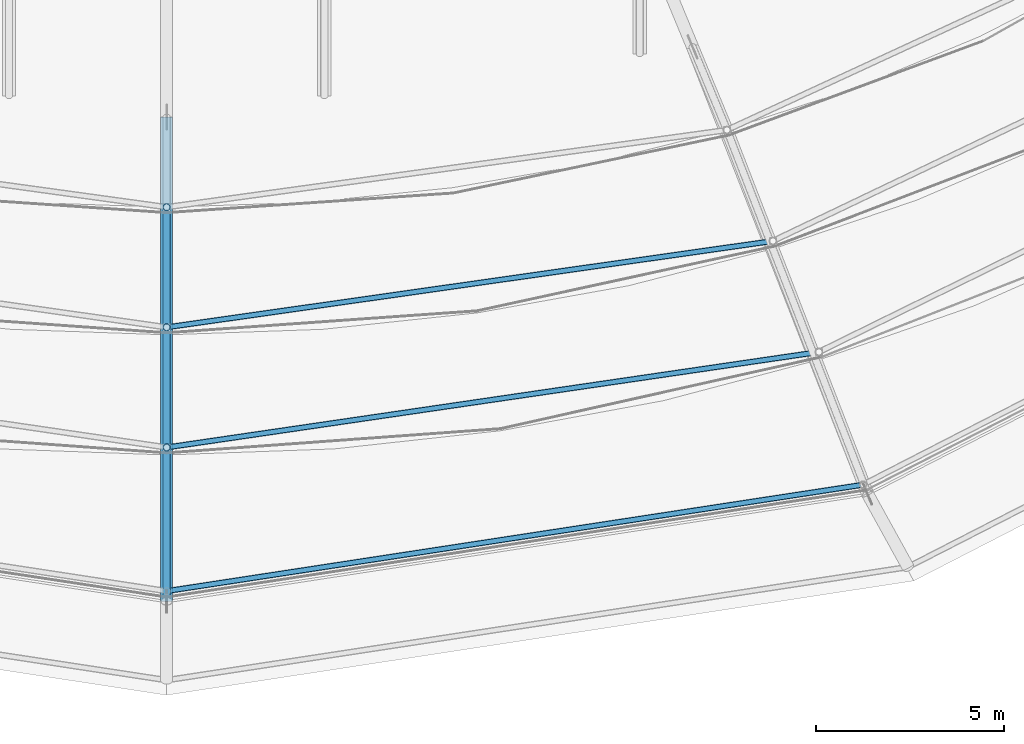
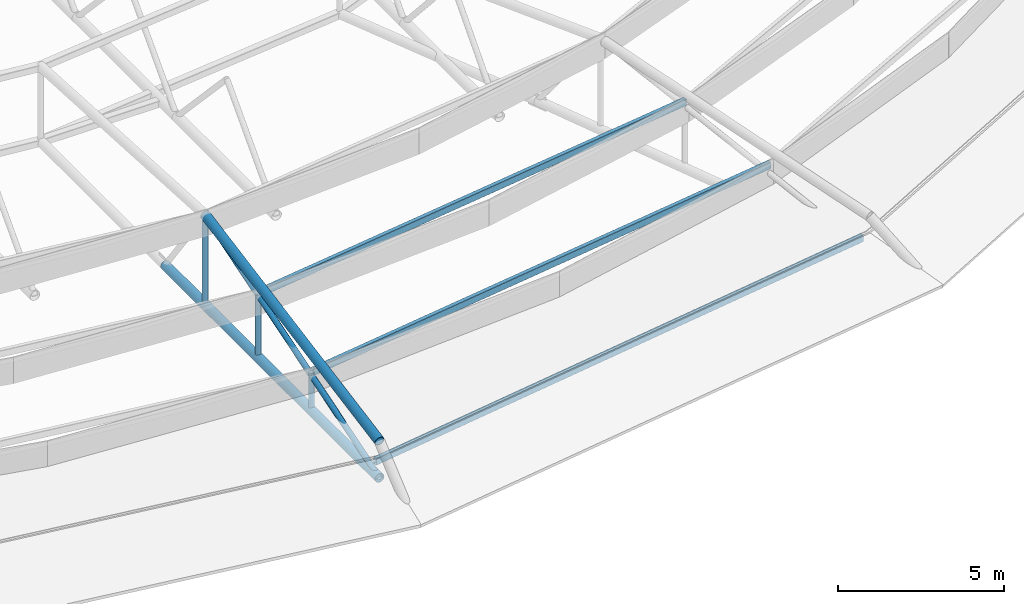
# One storey, part 11 of 134: 6 members, 3 beams.
"""IFC4 building model written with IfcOpenShell, lengths in metres."""

from ifc_helpers import new_model, si_unit, derived_unit, direction, frame, origin, origin_2d, place, context, subcontext, project, spatial, hollow_rectangle, hollow_circle, extrude, material, material_profile, profile_set, type_object, element, save


model = new_model("IFC4")

# Units and contexts
model_context = context("Model", 3, precision=1e-05, world=origin(), true_north=direction((0.0, 1.0)))
body_context = subcontext(model_context, "Body", "Model", "MODEL_VIEW")
ifc_project = project(units=[si_unit("LENGTHUNIT", "METRE"), si_unit("AREAUNIT", "SQUARE_METRE"), si_unit("VOLUMEUNIT", "CUBIC_METRE"), si_unit("PLANEANGLEUNIT", "RADIAN"), si_unit("MASSUNIT", "GRAM", prefix="KILO"), derived_unit("THERMALTRANSMITTANCEUNIT", [(si_unit("MASSUNIT", "GRAM", prefix="KILO"), 1), (si_unit("TIMEUNIT", "SECOND"), -3), (si_unit("THERMODYNAMICTEMPERATUREUNIT", "KELVIN"), -1)])], contexts=[model_context])

# Site, building, storey
site_placement = place(None, origin())
site = spatial("IfcSite", under=ifc_project, at=site_placement, CompositionType="ELEMENT")
building_placement = place(site_placement, origin())
building = spatial("IfcBuilding", under=site, at=building_placement, Name="Kharveza Railside Sports Centre", CompositionType="ELEMENT")
storey_placement = place(building_placement, frame((0.0, 0.0, 12.89990234375)))
storey = spatial("IfcBuildingStorey", under=building, at=storey_placement, Name="L03", CompositionType="ELEMENT", Elevation=12.89990234375)

# Beams
ifc_material = material(Name="Steel S355J2", Category="steel")
ifc_material_profile_1 = material_profile(ifc_material, hollow_rectangle(XDim=0.14990234375, YDim=0.25, WallThickness=0.010009765625, InnerFilletRadius=0.010009765625, OuterFilletRadius=0.02001953125, at=origin_2d()), Name="RHS 150x250x10.0")
ifc_profile_set_1 = profile_set([ifc_material_profile_1], Name="Steel S355J2")
beam_type = type_object("IfcBeamType", Name="BM-SP04", PredefinedType="SPANDREL", material=ifc_profile_set_1)
beam_1_placement = place(storey_placement, frame((54.60009765625, 13.173095703125, 0.405029296875), z_axis=(0.988530449225, 0.151021690348, 0.0), x_axis=(-0.151021690348, 0.988530449225, 0.0)))
element("IfcBeam", 1, at=beam_1_placement, inside=storey, type_object=beam_type, Name="BM-LIDRING-S1-13", PredefinedType="SPANDREL", context=body_context, shape_type="SweptSolid", body=[
    extrude(hollow_rectangle(XDim=0.14990234375, YDim=0.25, WallThickness=0.010009765625, InnerFilletRadius=0.010009765625, OuterFilletRadius=0.02001953125, at=origin_2d()), origin(), (0.0, 0.0, 1.0), 18.763916015625),
])
beam_2_placement = place(storey_placement, frame((54.60009765625, 17.0, 1.35498046875), z_axis=(0.989461258484, 0.144797852056, 0.0), x_axis=(-0.144797852056, 0.989461258484, 0.0)))
element("IfcBeam", 2, at=beam_2_placement, inside=storey, type_object=beam_type, Name="BM-LIDRING-S2-13", PredefinedType="SPANDREL", context=body_context, shape_type="SweptSolid", body=[
    extrude(hollow_rectangle(XDim=0.14990234375, YDim=0.25, WallThickness=0.010009765625, InnerFilletRadius=0.010009765625, OuterFilletRadius=0.02001953125, at=origin_2d()), origin(), (0.0, 0.0, 1.0), 17.558837890625),
])
beam_3_placement = place(storey_placement, frame((54.60009765625, 20.199951171875, 2.30517578125), z_axis=(0.990019715922, 0.140928925652, 0.0), x_axis=(-0.140928925652, 0.990019715922, 0.0)))
element("IfcBeam", 3, at=beam_3_placement, inside=storey, type_object=beam_type, Name="BM-LIDRING-S3-13", PredefinedType="SPANDREL", context=body_context, shape_type="SweptSolid", body=[
    extrude(hollow_rectangle(XDim=0.14990234375, YDim=0.25, WallThickness=0.010009765625, InnerFilletRadius=0.010009765625, OuterFilletRadius=0.02001953125, at=origin_2d()), origin(), (0.0, 0.0, 1.0), 16.31201171875),
])

# Members
ifc_material_profile_2 = material_profile(ifc_material, hollow_circle(Radius=0.161865234375, WallThickness=0.01611328125, at=origin_2d()), Name="CHS 323.9x16.0")
ifc_profile_set_2 = profile_set([ifc_material_profile_2], Name="Steel S355J2")
member_type_1 = type_object("IfcMemberType", Name="MB-CH02", PredefinedType="CHORD", material=ifc_profile_set_2)
member_1_placement = place(storey_placement, frame((54.60009765625, 25.800048828125, -0.0498046875), z_axis=(0.0, -1.0, 0.0), x_axis=(1.0, 0.0, 0.0)))
element("IfcMember", 4, at=member_1_placement, inside=storey, type_object=member_type_1, Name="MB-OUT-BC2-13", PredefinedType="CHORD", context=body_context, shape_type="SweptSolid", body=[
    extrude(hollow_circle(Radius=0.161865234375, WallThickness=0.01611328125, at=origin_2d()), origin(), (0.0, 0.0, 1.0), 12.900146484375),
])
member_2_placement = place(storey_placement, frame((54.60009765625, 23.39990234375, 3.25), z_axis=(0.0, -0.983189556866, -0.182587774151), x_axis=(1.0, 0.0, 0.0)))
element("IfcMember", 5, at=member_2_placement, inside=storey, type_object=member_type_1, Name="MB-OUT-TC2-13", PredefinedType="CHORD", context=body_context, shape_type="SweptSolid", body=[
    extrude(hollow_circle(Radius=0.161865234375, WallThickness=0.01611328125, at=origin_2d()), origin(), (0.0, 0.0, 1.0), 10.679443359375),
])
ifc_material_profile_3 = material_profile(ifc_material, hollow_circle(Radius=0.096923828125, WallThickness=0.010009765625, at=origin_2d()), Name="CHS 193.7x10.0")
ifc_profile_set_3 = profile_set([ifc_material_profile_3], Name="Steel S355J2")
member_type_2 = type_object("IfcMemberType", Name="MB-ST02", PredefinedType="STRUT", material=ifc_profile_set_3)
member_3_placement = place(storey_placement, frame((54.60009765625, 17.0, -0.0498046875), z_axis=(0.0, 0.0, 1.0), x_axis=(1.0, 0.0, 0.0)))
element("IfcMember", 6, at=member_3_placement, inside=storey, type_object=member_type_2, Name="MB-LIDPOST-S2-13", PredefinedType="STRUT", context=body_context, shape_type="SweptSolid", body=[
    extrude(hollow_circle(Radius=0.096923828125, WallThickness=0.010009765625, at=origin_2d()), origin(), (0.0, 0.0, 1.0), 1.40478515625),
])
member_4_placement = place(storey_placement, frame((54.60009765625, 20.199951171875, -0.0498046875), z_axis=(0.0, 0.0, 1.0), x_axis=(1.0, 0.0, 0.0)))
element("IfcMember", 7, at=member_4_placement, inside=storey, type_object=member_type_2, Name="MB-LIDPOST-S3-13", PredefinedType="STRUT", context=body_context, shape_type="SweptSolid", body=[
    extrude(hollow_circle(Radius=0.096923828125, WallThickness=0.010009765625, at=origin_2d()), origin(), (0.0, 0.0, 1.0), 2.35498046875),
])
member_5_placement = place(storey_placement, frame((54.60009765625, 23.39990234375, -0.0498046875), z_axis=(0.0, 0.0, 1.0), x_axis=(1.0, 0.0, 0.0)))
element("IfcMember", 8, at=member_5_placement, inside=storey, type_object=member_type_2, Name="MB-LIDPOST-S4-13", PredefinedType="STRUT", context=body_context, shape_type="SweptSolid", body=[
    extrude(hollow_circle(Radius=0.096923828125, WallThickness=0.010009765625, at=origin_2d()), origin(), (0.0, 0.0, 1.0), 3.304931640625),
])
member_6_placement = place(storey_placement, frame((54.60009765625, 23.39990234375, 3.25), z_axis=(0.0, -0.953998792561, -0.299810446435), x_axis=(1.0, 0.0, 0.0)))
element("IfcMember", 9, at=member_6_placement, inside=storey, type_object=member_type_2, Name="MB-OUT-WEB-13-3", PredefinedType="STRUT", context=body_context, shape_type="SweptSolid", body=[
    extrude(hollow_circle(Radius=0.096923828125, WallThickness=0.010009765625, at=origin_2d()), origin(), (0.0, 0.0, 1.0), 11.00634765625),
])

save(model, "model.ifc")
